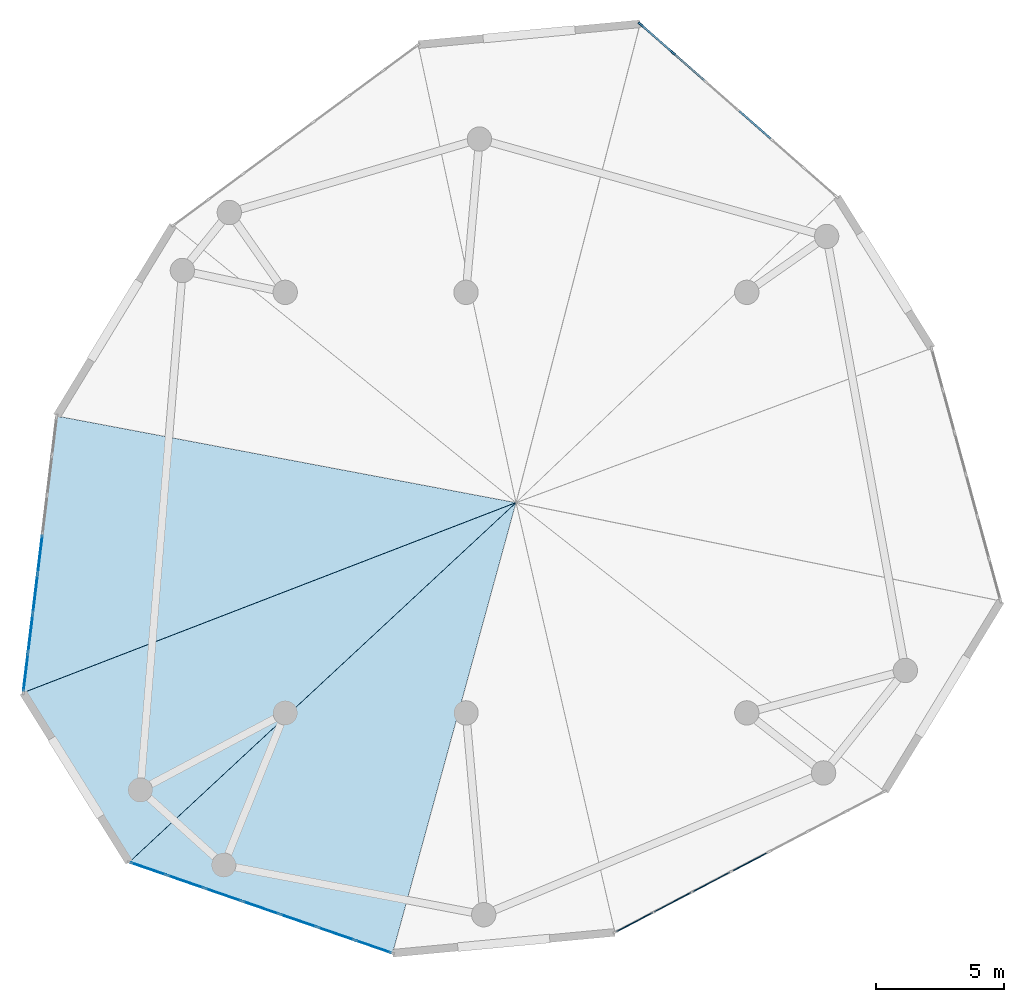
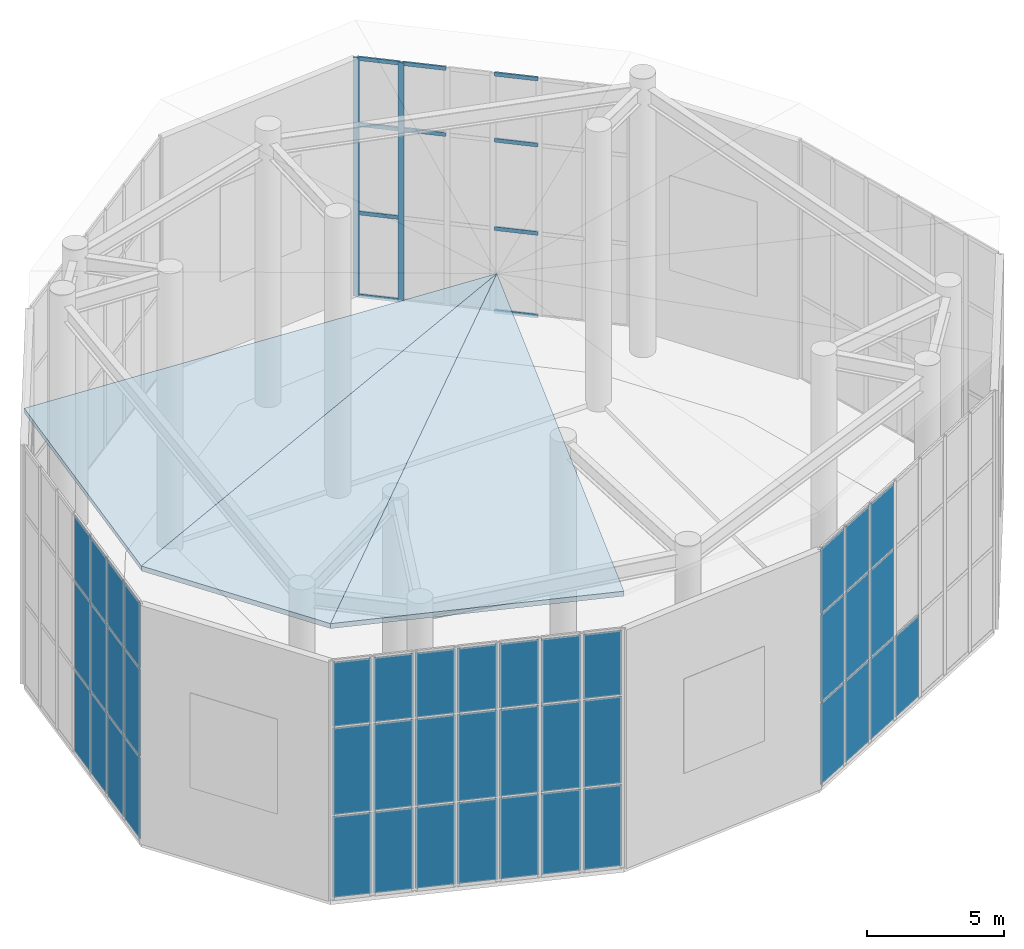
# One storey, part 5 of 8: 43 plates, 12 members, 3 slabs, 4 elements without a shape of their own.
"""IFC4 building model written with IfcOpenShell, lengths in metres."""

from ifc_helpers import new_model, si_unit, direction, frame, origin, origin_with_axes, origin_2d, place, context, subcontext, project, spatial, polyline, rectangle, outline, extrude, source, transform, mapped, material, layer, layer_set, material_profile, profile_set, type_object, element, aggregate, save


model = new_model("IFC4")

# Units and contexts
model_context = context("Model", 3, precision=1e-05, world=origin(), true_north=direction((0.0, 1.0)))
body_context = subcontext(model_context, "Body", "Model", "MODEL_VIEW")
ifc_project = project(units=[si_unit("LENGTHUNIT", "METRE"), si_unit("AREAUNIT", "SQUARE_METRE"), si_unit("VOLUMEUNIT", "CUBIC_METRE"), si_unit("PLANEANGLEUNIT", "RADIAN"), si_unit("MASSUNIT", "GRAM", prefix="KILO")], contexts=[model_context])

# Site, building, storey
site_placement = place(None, origin())
site = spatial("IfcSite", under=ifc_project, at=site_placement, CompositionType="ELEMENT")
building_placement = place(site_placement, origin())
building = spatial("IfcBuilding", under=site, at=building_placement, Name="Karkom Vertical University and Central Library", CompositionType="ELEMENT")
storey_placement = place(building_placement, frame((0.0, 0.0, 290.0)))
storey = spatial("IfcBuildingStorey", under=building, at=storey_placement, Name="R82", CompositionType="ELEMENT", Elevation=290.0)

# Curtain wall, members
ifc_material_1 = material(Name="Aluminium curtain-wall framing and low-E IGU", Category="aluminium")
ifc_layer_1 = layer(ifc_material_1, 0.199951171875)
ifc_layer_set_1 = layer_set([ifc_layer_1], Name="Aluminium curtain-wall framing and low-E IGU")
curtain_wall_type = type_object("IfcCurtainWallType", Name="ENV-CW-6", PredefinedType="USERDEFINED", material=ifc_layer_set_1)
curtain_wall_1_placement = place(storey_placement, origin())
curtain_wall_1 = element("IfcCurtainWall", 1, at=curtain_wall_1_placement, inside=storey, type_object=curtain_wall_type, Name="Roof Level 82 CW-6 Curtain Wall R82-CW6-08", ObjectType="UNITISED GLAZING", PredefinedType="USERDEFINED")
ifc_material_2 = material(Name="Anodised Aluminium 6063-T6", Category="aluminium")
ifc_material_profile_1 = material_profile(ifc_material_2, rectangle(XDim=0.074951171875, YDim=0.219970703125, at=origin_2d()), Name="ALU-M75x220")
ifc_profile_set_1 = profile_set([ifc_material_profile_1], Name="Anodised Aluminium 6063-T6")
member_type_1 = type_object("IfcMemberType", Name="ENV-MEM-ALU-M75x220", PredefinedType="MULLION", material=ifc_profile_set_1)
shared_shape_1 = source(origin_with_axes(), body_context, "Body", "SweptSolid", [
    extrude(rectangle(XDim=0.074951171875, YDim=0.219970703125, at=origin_2d()), origin(), (0.0, 0.0, 1.0), 10.60009765625),
])
member_1_placement = place(storey_placement, frame((34.615478515625, 44.046630859375, 0.0), z_axis=(0.0, 0.0, 1.0), x_axis=(-0.659935992158, -0.75132182602, 0.0)))
member_1 = element("IfcMember", 2, at=member_1_placement, type_object=member_type_1, Name="CW-6 mullion 6", PredefinedType="MULLION", context=body_context, shape_type="MappedRepresentation", body=[
    mapped(shared_shape_1, transform((0.0, 0.0, 0.0), scale=1.0)),
])
member_2_placement = place(storey_placement, frame((33.36328125, 45.146484375, 0.0), z_axis=(0.0, 0.0, 1.0), x_axis=(-0.659935992158, -0.75132182602, 0.0)))
member_2 = element("IfcMember", 3, at=member_2_placement, type_object=member_type_1, Name="CW-6 mullion 7", PredefinedType="MULLION", context=body_context, shape_type="MappedRepresentation", body=[
    mapped(shared_shape_1, transform((0.0, 0.0, 0.0), scale=1.0)),
])
ifc_material_profile_2 = material_profile(ifc_material_2, rectangle(XDim=0.074951171875, YDim=0.1650390625, at=origin_2d()), Name="ALU-T75x165")
ifc_profile_set_2 = profile_set([ifc_material_profile_2], Name="Anodised Aluminium 6063-T6")
member_type_2 = type_object("IfcMemberType", Name="ENV-MEM-ALU-T75x165", PredefinedType="USERDEFINED", material=ifc_profile_set_2)
shared_shape_2 = source(origin_with_axes(), body_context, "Body", "SweptSolid", [
    extrude(rectangle(XDim=0.074951171875, YDim=0.1650390625, at=origin_2d()), origin(), (0.0, 0.0, 1.0), 1.591796875),
])
member_3_placement = place(storey_placement, frame((34.58740234375, 44.0712890625, 0.03759765625), z_axis=(-0.751263992103, 0.660001828914, 0.0), x_axis=(-0.660001828914, -0.751263992103, 0.0)))
member_3 = element("IfcMember", 4, at=member_3_placement, type_object=member_type_2, Name="CW-6 transom 6.1", ObjectType="TRANSOM", PredefinedType="USERDEFINED", context=body_context, shape_type="MappedRepresentation", body=[
    mapped(shared_shape_2, transform((0.0, 0.0, 0.0), scale=1.0)),
])
member_4_placement = place(storey_placement, frame((34.58740234375, 44.0712890625, 3.7099609375), z_axis=(-0.751263992103, 0.660001828914, 0.0), x_axis=(-0.660001828914, -0.751263992103, 0.0)))
member_4 = element("IfcMember", 5, at=member_4_placement, type_object=member_type_2, Name="CW-6 transom 6.2", ObjectType="TRANSOM", PredefinedType="USERDEFINED", context=body_context, shape_type="MappedRepresentation", body=[
    mapped(shared_shape_2, transform((0.0, 0.0, 0.0), scale=1.0)),
])
member_5_placement = place(storey_placement, frame((34.58740234375, 44.0712890625, 7.632080078125), z_axis=(-0.751263992103, 0.660001828914, 0.0), x_axis=(-0.660001828914, -0.751263992103, 0.0)))
member_5 = element("IfcMember", 6, at=member_5_placement, type_object=member_type_2, Name="CW-6 transom 6.3", ObjectType="TRANSOM", PredefinedType="USERDEFINED", context=body_context, shape_type="MappedRepresentation", body=[
    mapped(shared_shape_2, transform((0.0, 0.0, 0.0), scale=1.0)),
])
member_6_placement = place(storey_placement, frame((34.58740234375, 44.0712890625, 10.5625), z_axis=(-0.751263992103, 0.660001828914, 0.0), x_axis=(-0.660001828914, -0.751263992103, 0.0)))
member_6 = element("IfcMember", 7, at=member_6_placement, type_object=member_type_2, Name="CW-6 transom 6.4", ObjectType="TRANSOM", PredefinedType="USERDEFINED", context=body_context, shape_type="MappedRepresentation", body=[
    mapped(shared_shape_2, transform((0.0, 0.0, 0.0), scale=1.0)),
])
shared_shape_3 = source(origin_with_axes(), body_context, "Body", "SweptSolid", [
    extrude(rectangle(XDim=0.074951171875, YDim=0.1650390625, at=origin_2d()), origin(), (0.0, 0.0, 1.0), 1.62890625),
])
member_7_placement = place(storey_placement, frame((35.86767578125, 42.94677734375, 7.632080078125), z_axis=(-0.751340532472, 0.659914694688, 0.0), x_axis=(-0.659914694688, -0.751340532472, 0.0)))
member_7 = element("IfcMember", 8, at=member_7_placement, type_object=member_type_2, Name="CW-6 transom 5.3", ObjectType="TRANSOM", PredefinedType="USERDEFINED", context=body_context, shape_type="MappedRepresentation", body=[
    mapped(shared_shape_3, transform((0.0, 0.0, 0.0), scale=1.0)),
])
member_8_placement = place(storey_placement, frame((35.86767578125, 42.94677734375, 10.5625), z_axis=(-0.751340532472, 0.659914694688, 0.0), x_axis=(-0.659914694688, -0.751340532472, 0.0)))
member_8 = element("IfcMember", 9, at=member_8_placement, type_object=member_type_2, Name="CW-6 transom 5.4", ObjectType="TRANSOM", PredefinedType="USERDEFINED", context=body_context, shape_type="MappedRepresentation", body=[
    mapped(shared_shape_3, transform((0.0, 0.0, 0.0), scale=1.0)),
])
shared_shape_4 = source(origin_with_axes(), body_context, "Body", "SweptSolid", [
    extrude(rectangle(XDim=0.074951171875, YDim=0.1650390625, at=origin_2d()), origin(), (0.0, 0.0, 1.0), 1.629150390625),
])
member_9_placement = place(storey_placement, frame((38.428466796875, 40.697509765625, 0.03759765625), z_axis=(-0.75133149166, 0.659924987888, 0.0), x_axis=(-0.659924987888, -0.75133149166, 0.0)))
member_9 = element("IfcMember", 10, at=member_9_placement, type_object=member_type_2, Name="CW-6 transom 3.1", ObjectType="TRANSOM", PredefinedType="USERDEFINED", context=body_context, shape_type="MappedRepresentation", body=[
    mapped(shared_shape_4, transform((0.0, 0.0, 0.0), scale=1.0)),
])
member_10_placement = place(storey_placement, frame((38.428466796875, 40.697509765625, 3.7099609375), z_axis=(-0.75133149166, 0.659924987888, 0.0), x_axis=(-0.659924987888, -0.75133149166, 0.0)))
member_10 = element("IfcMember", 11, at=member_10_placement, type_object=member_type_2, Name="CW-6 transom 3.2", ObjectType="TRANSOM", PredefinedType="USERDEFINED", context=body_context, shape_type="MappedRepresentation", body=[
    mapped(shared_shape_4, transform((0.0, 0.0, 0.0), scale=1.0)),
])
member_11_placement = place(storey_placement, frame((38.428466796875, 40.697509765625, 7.632080078125), z_axis=(-0.75133149166, 0.659924987888, 0.0), x_axis=(-0.659924987888, -0.75133149166, 0.0)))
member_11 = element("IfcMember", 12, at=member_11_placement, type_object=member_type_2, Name="CW-6 transom 3.3", ObjectType="TRANSOM", PredefinedType="USERDEFINED", context=body_context, shape_type="MappedRepresentation", body=[
    mapped(shared_shape_4, transform((0.0, 0.0, 0.0), scale=1.0)),
])
member_12_placement = place(storey_placement, frame((38.428466796875, 40.697509765625, 10.5625), z_axis=(-0.75133149166, 0.659924987888, 0.0), x_axis=(-0.659924987888, -0.75133149166, 0.0)))
member_12 = element("IfcMember", 13, at=member_12_placement, type_object=member_type_2, Name="CW-6 transom 3.4", ObjectType="TRANSOM", PredefinedType="USERDEFINED", context=body_context, shape_type="MappedRepresentation", body=[
    mapped(shared_shape_4, transform((0.0, 0.0, 0.0), scale=1.0)),
])
aggregate(curtain_wall_1, [member_1, member_2, member_9, member_10, member_11, member_12, member_7, member_8, member_3, member_4, member_5, member_6])

# Slabs
ifc_material_3 = material(Name="Concrete C45/55", Category="concrete")
ifc_layer_2 = layer(ifc_material_3, 0.239990234375)
ifc_layer_set_2 = layer_set([ifc_layer_2], Name="Concrete C45/55")
slab_type = type_object("IfcSlabType", Name="STR-SLB-CRN-240", PredefinedType="ROOF", material=ifc_layer_set_2)
slab_1_placement = place(storey_placement, frame((9.28466796875, 19.087158203125, 12.239990234375), z_axis=(-0.0735254202, -0.045942861486, 0.996234543701), x_axis=(0.529911631117, -0.848052865809, 0.0)))
element("IfcSlab", 14, at=slab_1_placement, inside=storey, type_object=slab_type, Name="Roof Level 82 Halo Ring Crown Sloped Cap Facet 01", PredefinedType="ROOF", context=body_context, shape_type="SweptSolid", body=[
    extrude(outline(polyline([(0.0, 0.0), (7.792149007796636, 0.0), (3.895946209495686, 20.300208030571778), (0.0, 0.0)])), origin(), (0.0, 0.0, -1.0), 0.239990234375),
])
slab_2_placement = place(storey_placement, frame((13.413818359375, 12.47900390625, 12.239990234375), z_axis=(-0.0314908045, -0.091059521006, 0.995347423198), x_axis=(0.945081634544, -0.326834367912, 0.0)))
element("IfcSlab", 15, at=slab_2_placement, inside=storey, type_object=slab_type, Name="Roof Level 82 Halo Ring Crown Sloped Cap Facet 02", PredefinedType="ROOF", context=body_context, shape_type="SweptSolid", body=[
    extrude(outline(polyline([(0.0, 0.0), (10.869390073863075, 4.440892098500626e-16), (9.675129808154665, 18.266655564862884), (0.0, 0.0)])), origin(), (0.0, 0.0, -1.0), 0.239990234375),
])
slab_3_placement = place(storey_placement, frame((10.594970703125, 29.876953125, 12.239990234375), z_axis=(-0.095648882204, 0.011615511954, 0.995347362088), x_axis=(-0.120553402625, -0.992706843492, 0.0)))
element("IfcSlab", 16, at=slab_3_placement, inside=storey, type_object=slab_type, Name="Roof Level 82 Halo Ring Crown Sloped Cap Facet 12", PredefinedType="ROOF", context=body_context, shape_type="SweptSolid", body=[
    extrude(outline(polyline([(0.0, 0.0), (10.869064711916575, 0.0), (1.1938122714964576, 18.26653588302717), (0.0, 0.0)])), origin(), (0.0, 0.0, -1.0), 0.239990234375),
])

# Curtain wall, plates
curtain_wall_2_placement = place(storey_placement, origin())
curtain_wall_2 = element("IfcCurtainWall", 17, at=curtain_wall_2_placement, inside=storey, type_object=curtain_wall_type, Name="Roof Level 82 CW-6 Curtain Wall R82-CW6-02", ObjectType="UNITISED GLAZING", PredefinedType="USERDEFINED")
ifc_material_4 = material(Name="Solar-control low-E double glazing 36mm", Category="glass")
ifc_layer_3 = layer(ifc_material_4, 0.035888671875)
ifc_layer_set_3 = layer_set([ifc_layer_3], Name="Solar-control low-E double glazing 36mm")
plate_type = type_object("IfcPlateType", Name="ENV-PLT-GLZ-36", PredefinedType="CURTAIN_PANEL", material=ifc_layer_set_3)
shared_shape_5 = source(origin_with_axes(), body_context, "Body", "SweptSolid", [
    extrude(rectangle(XDim=1.440185546875, YDim=0.035888671875, at=origin_2d()), origin(), (0.0, 0.0, 1.0), 3.597412109375),
])
plate_1_placement = place(storey_placement, frame((14.165283203125, 12.218994140625, 0.0751953125), z_axis=(0.0, 0.0, 1.0), x_axis=(0.945085458975, -0.32682330889, 0.0)))
plate_1 = element("IfcPlate", 18, at=plate_1_placement, type_object=plate_type, Name="CW-6 panel 1.1", PredefinedType="CURTAIN_PANEL", context=body_context, shape_type="MappedRepresentation", body=[
    mapped(shared_shape_5, transform((0.0, 0.0, 0.0), scale=1.0)),
])
plate_2_placement = place(storey_placement, frame((22.934814453125, 9.1865234375, 0.0751953125), z_axis=(0.0, 0.0, 1.0), x_axis=(0.945085458975, -0.32682330889, 0.0)))
plate_2 = element("IfcPlate", 19, at=plate_2_placement, type_object=plate_type, Name="CW-6 panel 7.1", PredefinedType="CURTAIN_PANEL", context=body_context, shape_type="MappedRepresentation", body=[
    mapped(shared_shape_5, transform((0.0, 0.0, 0.0), scale=1.0)),
])

# Curtain wall, plate
curtain_wall_3_placement = place(storey_placement, origin())
curtain_wall_3 = element("IfcCurtainWall", 20, at=curtain_wall_3_placement, inside=storey, type_object=curtain_wall_type, Name="Roof Level 82 CW-6 Curtain Wall R82-CW6-12", ObjectType="UNITISED GLAZING", PredefinedType="USERDEFINED")
plate_3_placement = place(storey_placement, frame((9.38037109375, 19.87646484375, 0.0751953125), z_axis=(0.0, 0.0, 1.0), x_axis=(-0.12055309879, -0.992706880389, 0.0)))
plate_3 = element("IfcPlate", 21, at=plate_3_placement, type_object=plate_type, Name="CW-6 panel 7.1", PredefinedType="CURTAIN_PANEL", context=body_context, shape_type="MappedRepresentation", body=[
    mapped(shared_shape_5, transform((0.0, 0.0, 0.0), scale=1.0)),
])

# Plate
shared_shape_6 = source(origin_with_axes(), body_context, "Body", "SweptSolid", [
    extrude(rectangle(XDim=1.440185546875, YDim=0.035888671875, at=origin_2d()), origin(), (0.0, 0.0, 1.0), 3.846923828125),
])
plate_4_placement = place(storey_placement, frame((14.165283203125, 12.218994140625, 3.74755859375), z_axis=(0.0, 0.0, 1.0), x_axis=(0.945085458975, -0.32682330889, 0.0)))
plate_4 = element("IfcPlate", 22, at=plate_4_placement, type_object=plate_type, Name="CW-6 panel 1.2", PredefinedType="CURTAIN_PANEL", context=body_context, shape_type="MappedRepresentation", body=[
    mapped(shared_shape_6, transform((0.0, 0.0, 0.0), scale=1.0)),
])

plate_5_placement = place(storey_placement, frame((22.934814453125, 9.1865234375, 3.74755859375), z_axis=(0.0, 0.0, 1.0), x_axis=(0.945085458975, -0.32682330889, 0.0)))
plate_5 = element("IfcPlate", 23, at=plate_5_placement, type_object=plate_type, Name="CW-6 panel 7.2", PredefinedType="CURTAIN_PANEL", context=body_context, shape_type="MappedRepresentation", body=[
    mapped(shared_shape_6, transform((0.0, 0.0, 0.0), scale=1.0)),
])

plate_6_placement = place(storey_placement, frame((9.38037109375, 19.87646484375, 3.74755859375), z_axis=(0.0, 0.0, 1.0), x_axis=(-0.12055309879, -0.992706880389, 0.0)))
plate_6 = element("IfcPlate", 24, at=plate_6_placement, type_object=plate_type, Name="CW-6 panel 7.2", PredefinedType="CURTAIN_PANEL", context=body_context, shape_type="MappedRepresentation", body=[
    mapped(shared_shape_6, transform((0.0, 0.0, 0.0), scale=1.0)),
])

shared_shape_7 = source(origin_with_axes(), body_context, "Body", "SweptSolid", [
    extrude(rectangle(XDim=1.440185546875, YDim=0.035888671875, at=origin_2d()), origin(), (0.0, 0.0, 1.0), 2.85546875),
])
plate_7_placement = place(storey_placement, frame((14.165283203125, 12.218994140625, 7.66943359375), z_axis=(0.0, 0.0, 1.0), x_axis=(0.945085458975, -0.32682330889, 0.0)))
plate_7 = element("IfcPlate", 25, at=plate_7_placement, type_object=plate_type, Name="CW-6 panel 1.3", PredefinedType="CURTAIN_PANEL", context=body_context, shape_type="MappedRepresentation", body=[
    mapped(shared_shape_7, transform((0.0, 0.0, 0.0), scale=1.0)),
])

plate_8_placement = place(storey_placement, frame((22.934814453125, 9.1865234375, 7.66943359375), z_axis=(0.0, 0.0, 1.0), x_axis=(0.945085458975, -0.32682330889, 0.0)))
plate_8 = element("IfcPlate", 26, at=plate_8_placement, type_object=plate_type, Name="CW-6 panel 7.3", PredefinedType="CURTAIN_PANEL", context=body_context, shape_type="MappedRepresentation", body=[
    mapped(shared_shape_7, transform((0.0, 0.0, 0.0), scale=1.0)),
])

plate_9_placement = place(storey_placement, frame((9.38037109375, 19.87646484375, 7.66943359375), z_axis=(0.0, 0.0, 1.0), x_axis=(-0.12055309879, -0.992706880389, 0.0)))
plate_9 = element("IfcPlate", 27, at=plate_9_placement, type_object=plate_type, Name="CW-6 panel 7.3", PredefinedType="CURTAIN_PANEL", context=body_context, shape_type="MappedRepresentation", body=[
    mapped(shared_shape_7, transform((0.0, 0.0, 0.0), scale=1.0)),
])

shared_shape_8 = source(origin_with_axes(), body_context, "Body", "SweptSolid", [
    extrude(rectangle(XDim=1.477783203125, YDim=0.035888671875, at=origin_2d()), origin(), (0.0, 0.0, 1.0), 3.597412109375),
])
plate_10_placement = place(storey_placement, frame((15.614990234375, 11.7177734375, 0.0751953125), z_axis=(0.0, 0.0, 1.0), x_axis=(0.945085458975, -0.32682330889, 0.0)))
plate_10 = element("IfcPlate", 28, at=plate_10_placement, type_object=plate_type, Name="CW-6 panel 2.1", PredefinedType="CURTAIN_PANEL", context=body_context, shape_type="MappedRepresentation", body=[
    mapped(shared_shape_8, transform((0.0, 0.0, 0.0), scale=1.0)),
])

plate_11_placement = place(storey_placement, frame((17.08251953125, 11.210205078125, 0.0751953125), z_axis=(0.0, 0.0, 1.0), x_axis=(0.945085458975, -0.32682330889, 0.0)))
plate_11 = element("IfcPlate", 29, at=plate_11_placement, type_object=plate_type, Name="CW-6 panel 3.1", PredefinedType="CURTAIN_PANEL", context=body_context, shape_type="MappedRepresentation", body=[
    mapped(shared_shape_8, transform((0.0, 0.0, 0.0), scale=1.0)),
])

plate_12_placement = place(storey_placement, frame((18.550048828125, 10.70263671875, 0.0751953125), z_axis=(0.0, 0.0, 1.0), x_axis=(0.945085458975, -0.32682330889, 0.0)))
plate_12 = element("IfcPlate", 30, at=plate_12_placement, type_object=plate_type, Name="CW-6 panel 4.1", PredefinedType="CURTAIN_PANEL", context=body_context, shape_type="MappedRepresentation", body=[
    mapped(shared_shape_8, transform((0.0, 0.0, 0.0), scale=1.0)),
])

plate_13_placement = place(storey_placement, frame((20.017578125, 10.1953125, 0.0751953125), z_axis=(0.0, 0.0, 1.0), x_axis=(0.945085458975, -0.32682330889, 0.0)))
plate_13 = element("IfcPlate", 31, at=plate_13_placement, type_object=plate_type, Name="CW-6 panel 5.1", PredefinedType="CURTAIN_PANEL", context=body_context, shape_type="MappedRepresentation", body=[
    mapped(shared_shape_8, transform((0.0, 0.0, 0.0), scale=1.0)),
])

plate_14_placement = place(storey_placement, frame((21.485107421875, 9.687744140625, 0.0751953125), z_axis=(0.0, 0.0, 1.0), x_axis=(0.945085458975, -0.32682330889, 0.0)))
plate_14 = element("IfcPlate", 32, at=plate_14_placement, type_object=plate_type, Name="CW-6 panel 6.1", PredefinedType="CURTAIN_PANEL", context=body_context, shape_type="MappedRepresentation", body=[
    mapped(shared_shape_8, transform((0.0, 0.0, 0.0), scale=1.0)),
])

plate_15_placement = place(storey_placement, frame((9.939697265625, 24.482177734375, 0.0751953125), z_axis=(0.0, 0.0, 1.0), x_axis=(-0.12055309879, -0.992706880389, 0.0)))
plate_15 = element("IfcPlate", 33, at=plate_15_placement, type_object=plate_type, Name="CW-6 panel 4.1", PredefinedType="CURTAIN_PANEL", context=body_context, shape_type="MappedRepresentation", body=[
    mapped(shared_shape_8, transform((0.0, 0.0, 0.0), scale=1.0)),
])

plate_16_placement = place(storey_placement, frame((9.752685546875, 22.940673828125, 0.0751953125), z_axis=(0.0, 0.0, 1.0), x_axis=(-0.12055309879, -0.992706880389, 0.0)))
plate_16 = element("IfcPlate", 34, at=plate_16_placement, type_object=plate_type, Name="CW-6 panel 5.1", PredefinedType="CURTAIN_PANEL", context=body_context, shape_type="MappedRepresentation", body=[
    mapped(shared_shape_8, transform((0.0, 0.0, 0.0), scale=1.0)),
])

plate_17_placement = place(storey_placement, frame((9.5654296875, 21.3994140625, 0.0751953125), z_axis=(0.0, 0.0, 1.0), x_axis=(-0.12055309879, -0.992706880389, 0.0)))
plate_17 = element("IfcPlate", 35, at=plate_17_placement, type_object=plate_type, Name="CW-6 panel 6.1", PredefinedType="CURTAIN_PANEL", context=body_context, shape_type="MappedRepresentation", body=[
    mapped(shared_shape_8, transform((0.0, 0.0, 0.0), scale=1.0)),
])

shared_shape_9 = source(origin_with_axes(), body_context, "Body", "SweptSolid", [
    extrude(rectangle(XDim=1.477783203125, YDim=0.035888671875, at=origin_2d()), origin(), (0.0, 0.0, 1.0), 3.846923828125),
])
plate_18_placement = place(storey_placement, frame((15.614990234375, 11.7177734375, 3.74755859375), z_axis=(0.0, 0.0, 1.0), x_axis=(0.945085458975, -0.32682330889, 0.0)))
plate_18 = element("IfcPlate", 36, at=plate_18_placement, type_object=plate_type, Name="CW-6 panel 2.2", PredefinedType="CURTAIN_PANEL", context=body_context, shape_type="MappedRepresentation", body=[
    mapped(shared_shape_9, transform((0.0, 0.0, 0.0), scale=1.0)),
])

plate_19_placement = place(storey_placement, frame((17.08251953125, 11.210205078125, 3.74755859375), z_axis=(0.0, 0.0, 1.0), x_axis=(0.945085458975, -0.32682330889, 0.0)))
plate_19 = element("IfcPlate", 37, at=plate_19_placement, type_object=plate_type, Name="CW-6 panel 3.2", PredefinedType="CURTAIN_PANEL", context=body_context, shape_type="MappedRepresentation", body=[
    mapped(shared_shape_9, transform((0.0, 0.0, 0.0), scale=1.0)),
])

plate_20_placement = place(storey_placement, frame((18.550048828125, 10.70263671875, 3.74755859375), z_axis=(0.0, 0.0, 1.0), x_axis=(0.945085458975, -0.32682330889, 0.0)))
plate_20 = element("IfcPlate", 38, at=plate_20_placement, type_object=plate_type, Name="CW-6 panel 4.2", PredefinedType="CURTAIN_PANEL", context=body_context, shape_type="MappedRepresentation", body=[
    mapped(shared_shape_9, transform((0.0, 0.0, 0.0), scale=1.0)),
])

plate_21_placement = place(storey_placement, frame((20.017578125, 10.1953125, 3.74755859375), z_axis=(0.0, 0.0, 1.0), x_axis=(0.945085458975, -0.32682330889, 0.0)))
plate_21 = element("IfcPlate", 39, at=plate_21_placement, type_object=plate_type, Name="CW-6 panel 5.2", PredefinedType="CURTAIN_PANEL", context=body_context, shape_type="MappedRepresentation", body=[
    mapped(shared_shape_9, transform((0.0, 0.0, 0.0), scale=1.0)),
])

plate_22_placement = place(storey_placement, frame((21.485107421875, 9.687744140625, 3.74755859375), z_axis=(0.0, 0.0, 1.0), x_axis=(0.945085458975, -0.32682330889, 0.0)))
plate_22 = element("IfcPlate", 40, at=plate_22_placement, type_object=plate_type, Name="CW-6 panel 6.2", PredefinedType="CURTAIN_PANEL", context=body_context, shape_type="MappedRepresentation", body=[
    mapped(shared_shape_9, transform((0.0, 0.0, 0.0), scale=1.0)),
])

plate_23_placement = place(storey_placement, frame((9.939697265625, 24.482177734375, 3.74755859375), z_axis=(0.0, 0.0, 1.0), x_axis=(-0.12055309879, -0.992706880389, 0.0)))
plate_23 = element("IfcPlate", 41, at=plate_23_placement, type_object=plate_type, Name="CW-6 panel 4.2", PredefinedType="CURTAIN_PANEL", context=body_context, shape_type="MappedRepresentation", body=[
    mapped(shared_shape_9, transform((0.0, 0.0, 0.0), scale=1.0)),
])

plate_24_placement = place(storey_placement, frame((9.752685546875, 22.940673828125, 3.74755859375), z_axis=(0.0, 0.0, 1.0), x_axis=(-0.12055309879, -0.992706880389, 0.0)))
plate_24 = element("IfcPlate", 42, at=plate_24_placement, type_object=plate_type, Name="CW-6 panel 5.2", PredefinedType="CURTAIN_PANEL", context=body_context, shape_type="MappedRepresentation", body=[
    mapped(shared_shape_9, transform((0.0, 0.0, 0.0), scale=1.0)),
])

plate_25_placement = place(storey_placement, frame((9.5654296875, 21.3994140625, 3.74755859375), z_axis=(0.0, 0.0, 1.0), x_axis=(-0.12055309879, -0.992706880389, 0.0)))
plate_25 = element("IfcPlate", 43, at=plate_25_placement, type_object=plate_type, Name="CW-6 panel 6.2", PredefinedType="CURTAIN_PANEL", context=body_context, shape_type="MappedRepresentation", body=[
    mapped(shared_shape_9, transform((0.0, 0.0, 0.0), scale=1.0)),
])

shared_shape_10 = source(origin_with_axes(), body_context, "Body", "SweptSolid", [
    extrude(rectangle(XDim=1.477783203125, YDim=0.035888671875, at=origin_2d()), origin(), (0.0, 0.0, 1.0), 2.85546875),
])
plate_26_placement = place(storey_placement, frame((15.614990234375, 11.7177734375, 7.66943359375), z_axis=(0.0, 0.0, 1.0), x_axis=(0.945085458975, -0.32682330889, 0.0)))
plate_26 = element("IfcPlate", 44, at=plate_26_placement, type_object=plate_type, Name="CW-6 panel 2.3", PredefinedType="CURTAIN_PANEL", context=body_context, shape_type="MappedRepresentation", body=[
    mapped(shared_shape_10, transform((0.0, 0.0, 0.0), scale=1.0)),
])

plate_27_placement = place(storey_placement, frame((17.08251953125, 11.210205078125, 7.66943359375), z_axis=(0.0, 0.0, 1.0), x_axis=(0.945085458975, -0.32682330889, 0.0)))
plate_27 = element("IfcPlate", 45, at=plate_27_placement, type_object=plate_type, Name="CW-6 panel 3.3", PredefinedType="CURTAIN_PANEL", context=body_context, shape_type="MappedRepresentation", body=[
    mapped(shared_shape_10, transform((0.0, 0.0, 0.0), scale=1.0)),
])

plate_28_placement = place(storey_placement, frame((18.550048828125, 10.70263671875, 7.66943359375), z_axis=(0.0, 0.0, 1.0), x_axis=(0.945085458975, -0.32682330889, 0.0)))
plate_28 = element("IfcPlate", 46, at=plate_28_placement, type_object=plate_type, Name="CW-6 panel 4.3", PredefinedType="CURTAIN_PANEL", context=body_context, shape_type="MappedRepresentation", body=[
    mapped(shared_shape_10, transform((0.0, 0.0, 0.0), scale=1.0)),
])

plate_29_placement = place(storey_placement, frame((20.017578125, 10.1953125, 7.66943359375), z_axis=(0.0, 0.0, 1.0), x_axis=(0.945085458975, -0.32682330889, 0.0)))
plate_29 = element("IfcPlate", 47, at=plate_29_placement, type_object=plate_type, Name="CW-6 panel 5.3", PredefinedType="CURTAIN_PANEL", context=body_context, shape_type="MappedRepresentation", body=[
    mapped(shared_shape_10, transform((0.0, 0.0, 0.0), scale=1.0)),
])

plate_30_placement = place(storey_placement, frame((21.485107421875, 9.687744140625, 7.66943359375), z_axis=(0.0, 0.0, 1.0), x_axis=(0.945085458975, -0.32682330889, 0.0)))
plate_30 = element("IfcPlate", 48, at=plate_30_placement, type_object=plate_type, Name="CW-6 panel 6.3", PredefinedType="CURTAIN_PANEL", context=body_context, shape_type="MappedRepresentation", body=[
    mapped(shared_shape_10, transform((0.0, 0.0, 0.0), scale=1.0)),
])

aggregate(curtain_wall_2, [plate_1, plate_4, plate_7, plate_10, plate_18, plate_26, plate_11, plate_19, plate_27, plate_12, plate_20, plate_28, plate_13, plate_21, plate_29, plate_14, plate_22, plate_30, plate_2, plate_5, plate_8])

plate_31_placement = place(storey_placement, frame((9.939697265625, 24.482177734375, 7.66943359375), z_axis=(0.0, 0.0, 1.0), x_axis=(-0.12055309879, -0.992706880389, 0.0)))
plate_31 = element("IfcPlate", 49, at=plate_31_placement, type_object=plate_type, Name="CW-6 panel 4.3", PredefinedType="CURTAIN_PANEL", context=body_context, shape_type="MappedRepresentation", body=[
    mapped(shared_shape_10, transform((0.0, 0.0, 0.0), scale=1.0)),
])

plate_32_placement = place(storey_placement, frame((9.752685546875, 22.940673828125, 7.66943359375), z_axis=(0.0, 0.0, 1.0), x_axis=(-0.12055309879, -0.992706880389, 0.0)))
plate_32 = element("IfcPlate", 50, at=plate_32_placement, type_object=plate_type, Name="CW-6 panel 5.3", PredefinedType="CURTAIN_PANEL", context=body_context, shape_type="MappedRepresentation", body=[
    mapped(shared_shape_10, transform((0.0, 0.0, 0.0), scale=1.0)),
])

plate_33_placement = place(storey_placement, frame((9.5654296875, 21.3994140625, 7.66943359375), z_axis=(0.0, 0.0, 1.0), x_axis=(-0.12055309879, -0.992706880389, 0.0)))
plate_33 = element("IfcPlate", 51, at=plate_33_placement, type_object=plate_type, Name="CW-6 panel 6.3", PredefinedType="CURTAIN_PANEL", context=body_context, shape_type="MappedRepresentation", body=[
    mapped(shared_shape_10, transform((0.0, 0.0, 0.0), scale=1.0)),
])

aggregate(curtain_wall_3, [plate_15, plate_23, plate_31, plate_16, plate_24, plate_32, plate_17, plate_25, plate_33, plate_3, plate_6, plate_9])

# Curtain wall, plates
curtain_wall_4_placement = place(storey_placement, origin())
curtain_wall_4 = element("IfcCurtainWall", 52, at=curtain_wall_4_placement, inside=storey, type_object=curtain_wall_type, Name="Roof Level 82 CW-6 Curtain Wall R82-CW6-04", ObjectType="UNITISED GLAZING", PredefinedType="USERDEFINED")
shared_shape_11 = source(origin_with_axes(), body_context, "Body", "SweptSolid", [
    extrude(rectangle(XDim=1.584228515625, YDim=0.035888671875, at=origin_2d()), origin(), (0.0, 0.0, 1.0), 3.597412109375),
])
plate_34_placement = place(storey_placement, frame((33.12353515625, 10.14111328125, 0.0751953125), z_axis=(0.0, 0.0, 1.0), x_axis=(0.886210123572, 0.463283516735, 0.0)))
plate_34 = element("IfcPlate", 53, at=plate_34_placement, type_object=plate_type, Name="CW-6 panel 1.1", PredefinedType="CURTAIN_PANEL", context=body_context, shape_type="MappedRepresentation", body=[
    mapped(shared_shape_11, transform((0.0, 0.0, 0.0), scale=1.0)),
])
shared_shape_12 = source(origin_with_axes(), body_context, "Body", "SweptSolid", [
    extrude(rectangle(XDim=1.584228515625, YDim=0.035888671875, at=origin_2d()), origin(), (0.0, 0.0, 1.0), 3.846923828125),
])
plate_35_placement = place(storey_placement, frame((33.12353515625, 10.14111328125, 3.74755859375), z_axis=(0.0, 0.0, 1.0), x_axis=(0.886210123572, 0.463283516735, 0.0)))
plate_35 = element("IfcPlate", 54, at=plate_35_placement, type_object=plate_type, Name="CW-6 panel 1.2", PredefinedType="CURTAIN_PANEL", context=body_context, shape_type="MappedRepresentation", body=[
    mapped(shared_shape_12, transform((0.0, 0.0, 0.0), scale=1.0)),
])
shared_shape_13 = source(origin_with_axes(), body_context, "Body", "SweptSolid", [
    extrude(rectangle(XDim=1.584228515625, YDim=0.035888671875, at=origin_2d()), origin(), (0.0, 0.0, 1.0), 2.85546875),
])
plate_36_placement = place(storey_placement, frame((33.12353515625, 10.14111328125, 7.66943359375), z_axis=(0.0, 0.0, 1.0), x_axis=(0.886210123572, 0.463283516735, 0.0)))
plate_36 = element("IfcPlate", 55, at=plate_36_placement, type_object=plate_type, Name="CW-6 panel 1.3", PredefinedType="CURTAIN_PANEL", context=body_context, shape_type="MappedRepresentation", body=[
    mapped(shared_shape_13, transform((0.0, 0.0, 0.0), scale=1.0)),
])
shared_shape_14 = source(origin_with_axes(), body_context, "Body", "SweptSolid", [
    extrude(rectangle(XDim=1.62158203125, YDim=0.035888671875, at=origin_2d()), origin(), (0.0, 0.0, 1.0), 3.597412109375),
])
plate_37_placement = place(storey_placement, frame((34.610595703125, 10.91845703125, 0.0751953125), z_axis=(0.0, 0.0, 1.0), x_axis=(0.886210123572, 0.463283516735, 0.0)))
plate_37 = element("IfcPlate", 56, at=plate_37_placement, type_object=plate_type, Name="CW-6 panel 2.1", PredefinedType="CURTAIN_PANEL", context=body_context, shape_type="MappedRepresentation", body=[
    mapped(shared_shape_14, transform((0.0, 0.0, 0.0), scale=1.0)),
])
plate_38_placement = place(storey_placement, frame((36.114013671875, 11.70458984375, 0.0751953125), z_axis=(0.0, 0.0, 1.0), x_axis=(0.886210123572, 0.463283516735, 0.0)))
plate_38 = element("IfcPlate", 57, at=plate_38_placement, type_object=plate_type, Name="CW-6 panel 3.1", PredefinedType="CURTAIN_PANEL", context=body_context, shape_type="MappedRepresentation", body=[
    mapped(shared_shape_14, transform((0.0, 0.0, 0.0), scale=1.0)),
])
plate_39_placement = place(storey_placement, frame((37.61767578125, 12.490478515625, 0.0751953125), z_axis=(0.0, 0.0, 1.0), x_axis=(0.886210123572, 0.463283516735, 0.0)))
plate_39 = element("IfcPlate", 58, at=plate_39_placement, type_object=plate_type, Name="CW-6 panel 4.1", PredefinedType="CURTAIN_PANEL", context=body_context, shape_type="MappedRepresentation", body=[
    mapped(shared_shape_14, transform((0.0, 0.0, 0.0), scale=1.0)),
])
shared_shape_15 = source(origin_with_axes(), body_context, "Body", "SweptSolid", [
    extrude(rectangle(XDim=1.62158203125, YDim=0.035888671875, at=origin_2d()), origin(), (0.0, 0.0, 1.0), 3.846923828125),
])
plate_40_placement = place(storey_placement, frame((34.610595703125, 10.91845703125, 3.74755859375), z_axis=(0.0, 0.0, 1.0), x_axis=(0.886210123572, 0.463283516735, 0.0)))
plate_40 = element("IfcPlate", 59, at=plate_40_placement, type_object=plate_type, Name="CW-6 panel 2.2", PredefinedType="CURTAIN_PANEL", context=body_context, shape_type="MappedRepresentation", body=[
    mapped(shared_shape_15, transform((0.0, 0.0, 0.0), scale=1.0)),
])
plate_41_placement = place(storey_placement, frame((36.114013671875, 11.70458984375, 3.74755859375), z_axis=(0.0, 0.0, 1.0), x_axis=(0.886210123572, 0.463283516735, 0.0)))
plate_41 = element("IfcPlate", 60, at=plate_41_placement, type_object=plate_type, Name="CW-6 panel 3.2", PredefinedType="CURTAIN_PANEL", context=body_context, shape_type="MappedRepresentation", body=[
    mapped(shared_shape_15, transform((0.0, 0.0, 0.0), scale=1.0)),
])
shared_shape_16 = source(origin_with_axes(), body_context, "Body", "SweptSolid", [
    extrude(rectangle(XDim=1.62158203125, YDim=0.035888671875, at=origin_2d()), origin(), (0.0, 0.0, 1.0), 2.85546875),
])
plate_42_placement = place(storey_placement, frame((34.610595703125, 10.91845703125, 7.66943359375), z_axis=(0.0, 0.0, 1.0), x_axis=(0.886210123572, 0.463283516735, 0.0)))
plate_42 = element("IfcPlate", 61, at=plate_42_placement, type_object=plate_type, Name="CW-6 panel 2.3", PredefinedType="CURTAIN_PANEL", context=body_context, shape_type="MappedRepresentation", body=[
    mapped(shared_shape_16, transform((0.0, 0.0, 0.0), scale=1.0)),
])
plate_43_placement = place(storey_placement, frame((36.114013671875, 11.70458984375, 7.66943359375), z_axis=(0.0, 0.0, 1.0), x_axis=(0.886210123572, 0.463283516735, 0.0)))
plate_43 = element("IfcPlate", 62, at=plate_43_placement, type_object=plate_type, Name="CW-6 panel 3.3", PredefinedType="CURTAIN_PANEL", context=body_context, shape_type="MappedRepresentation", body=[
    mapped(shared_shape_16, transform((0.0, 0.0, 0.0), scale=1.0)),
])
aggregate(curtain_wall_4, [plate_34, plate_35, plate_36, plate_37, plate_40, plate_42, plate_38, plate_41, plate_43, plate_39])

save(model, "model.ifc")
